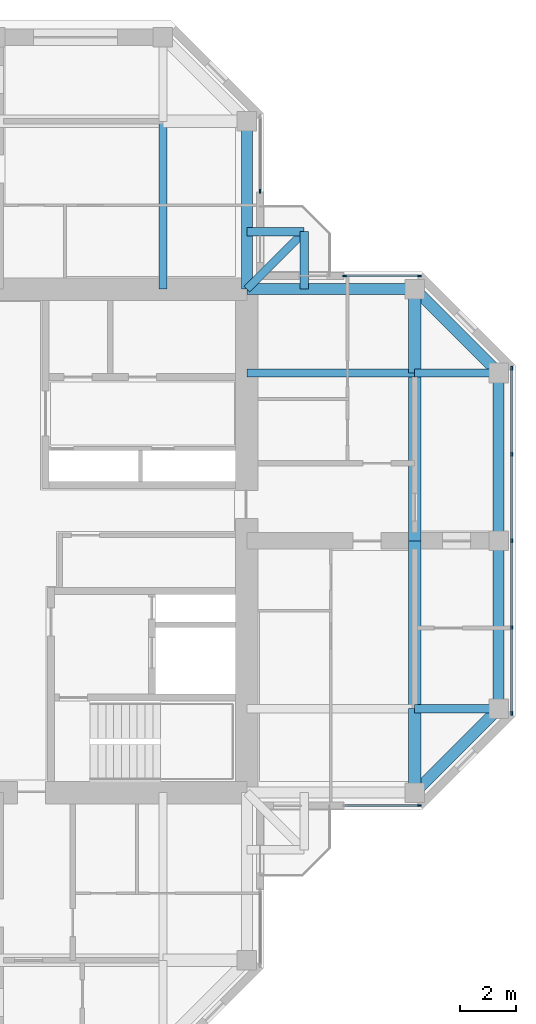
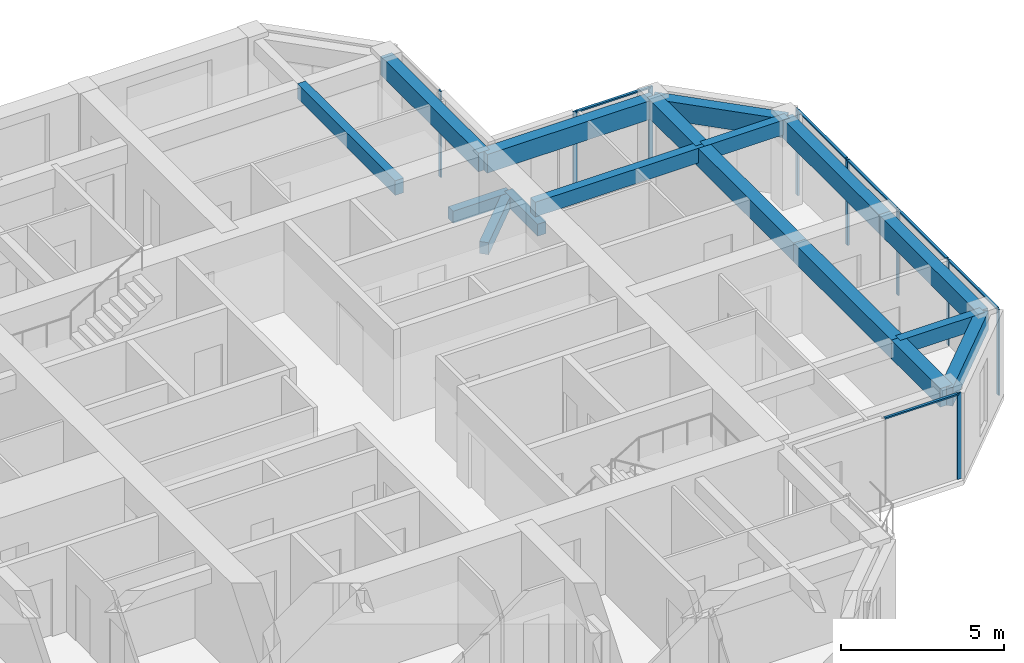
# One storey, part 5 of 13: 17 beams, 15 members, 4 elements without a shape of their own.
"""IFC4 building model written with IfcOpenShell, lengths in metres."""

from ifc_helpers import new_model, si_unit, direction, frame, origin, origin_2d, place, context, subcontext, project, spatial, rectangle, extrude, material, material_profile, profile_set, type_object, element, aggregate, save


model = new_model("IFC4")

# Units and contexts
model_context = context("Model", 3, precision=1e-05, world=origin(), true_north=direction((0.0, 1.0)))
body_context = subcontext(model_context, "Body", "Model", "MODEL_VIEW")
ifc_project = project(units=[si_unit("LENGTHUNIT", "METRE"), si_unit("AREAUNIT", "SQUARE_METRE"), si_unit("VOLUMEUNIT", "CUBIC_METRE"), si_unit("PLANEANGLEUNIT", "RADIAN"), si_unit("MASSUNIT", "GRAM", prefix="KILO")], contexts=[model_context])

# Site, building, storey
site_placement = place(None, origin())
site = spatial("IfcSite", under=ifc_project, at=site_placement, CompositionType="ELEMENT")
building_placement = place(site_placement, origin())
building = spatial("IfcBuilding", under=site, at=building_placement, Name="Torre Cruceta", CompositionType="ELEMENT")
storey_placement = place(building_placement, frame((0.0, 0.0, 261.10009765625)))
storey = spatial("IfcBuildingStorey", under=building, at=storey_placement, Name="L67", CompositionType="ELEMENT", Elevation=261.10009765625)

# Beams
ifc_material_1 = material(Name="Concrete G60 (fck 60 MPa)", Category="concrete")
ifc_material_profile_1 = material_profile(ifc_material_1, rectangle(XDim=0.300048828125, YDim=0.449951171875, at=origin_2d()), Name="RC 300X450")
ifc_profile_set_1 = profile_set([ifc_material_profile_1], Name="Concrete G60 (fck 60 MPa)")
beam_type_1 = type_object("IfcBeamType", Name="BALCONY CANTILEVER BEAM RC 300X450", PredefinedType="BEAM", material=ifc_profile_set_1)
beam_1_placement = place(storey_placement, frame((9.0, 9.0, -0.405029296875), z_axis=(0.707106781187, 0.707106781187, 0.0), x_axis=(-0.707106781187, 0.707106781187, 0.0)))
element("IfcBeam", 1, at=beam_1_placement, inside=storey, type_object=beam_type_1, Name="BB1 balcony beam L67 E", PredefinedType="BEAM", context=body_context, shape_type="SweptSolid", body=[
    extrude(rectangle(XDim=0.300048828125, YDim=0.449951171875, at=origin_2d()), origin(), (0.0, 0.0, 1.0), 2.89990234375),
])
for number, where, z_axis, x_axis, name in (
    (2, (11.050537109375, 9.0, -0.405029296875), (0.0, 1.0, 0.0), (-1.0, 0.0, 0.0), "BB1 balcony edge beam L67 E-X"),
    (3, (9.0, 11.050537109375, -0.405029296875), (1.0, 0.0, 0.0), (0.0, 1.0, 0.0), "BB1 balcony edge beam L67 E-Y"),
):
    element("IfcBeam", number, at=place(storey_placement, frame(where, z_axis=z_axis, x_axis=x_axis)), inside=storey, type_object=beam_type_1, Name=name, PredefinedType="BEAM", context=body_context, shape_type="SweptSolid", body=[
        extrude(rectangle(XDim=0.300048828125, YDim=0.449951171875, at=origin_2d()), origin(), (0.0, 0.0, 1.0), 2.050537109375),
    ])
ifc_material_2 = material(Name="Concrete G60 (fck 60 MPa)", Category="concrete")
ifc_material_profile_2 = material_profile(ifc_material_2, rectangle(XDim=0.300048828125, YDim=0.550048828125, at=origin_2d()), Name="RC 300X550")
ifc_profile_set_2 = profile_set([ifc_material_profile_2], Name="Concrete G60 (fck 60 MPa)")
beam_type_2 = type_object("IfcBeamType", Name="COLUMN LINE BEAM RC 300X550", PredefinedType="BEAM", material=ifc_profile_set_2)
beam_2_placement = place(storey_placement, frame((6.0, 9.0, 2.94482421875), z_axis=(0.0, 1.0, 0.0), x_axis=(-1.0, 0.0, 0.0)))
element("IfcBeam", 4, at=beam_2_placement, inside=storey, type_object=beam_type_2, Name="LB10 L67 N col- 1", PredefinedType="BEAM", context=body_context, shape_type="SweptSolid", body=[
    extrude(rectangle(XDim=0.300048828125, YDim=0.550048828125, at=origin_2d()), origin(), (0.0, 0.0, 1.0), 6.0),
])
beam_3_placement = place(storey_placement, frame((15.0, -6.0, 2.94482421875), z_axis=(1.0, 0.0, 0.0), x_axis=(0.0, 1.0, 0.0)))
element("IfcBeam", 5, at=beam_3_placement, inside=storey, type_object=beam_type_2, Name="LB10 L67 E col- 2", PredefinedType="BEAM", context=body_context, shape_type="SweptSolid", body=[
    extrude(rectangle(XDim=0.300048828125, YDim=0.550048828125, at=origin_2d()), origin(), (0.0, 0.0, 1.0), 3.0),
])
beam_4_placement = place(storey_placement, frame((9.0, 6.0, 2.94482421875), z_axis=(1.0, 0.0, 0.0), x_axis=(0.0, 1.0, 0.0)))
element("IfcBeam", 6, at=beam_4_placement, inside=storey, type_object=beam_type_2, Name="LB10 L67 E col+ 1", PredefinedType="BEAM", context=body_context, shape_type="SweptSolid", body=[
    extrude(rectangle(XDim=0.300048828125, YDim=0.550048828125, at=origin_2d()), origin(), (0.0, 0.0, 1.0), 6.0),
])
beam_5_placement = place(storey_placement, frame((15.0, 6.0, 2.94482421875), z_axis=(1.0, 0.0, 0.0), x_axis=(0.0, 1.0, 0.0)))
element("IfcBeam", 7, at=beam_5_placement, inside=storey, type_object=beam_type_2, Name="LB10 L67 E col+ 2", PredefinedType="BEAM", context=body_context, shape_type="SweptSolid", body=[
    extrude(rectangle(XDim=0.300048828125, YDim=0.550048828125, at=origin_2d()), origin(), (0.0, 0.0, 1.0), 3.0),
])
ifc_material_3 = material(Name="Concrete G60 (fck 60 MPa)", Category="concrete")
ifc_material_profile_3 = material_profile(ifc_material_3, rectangle(XDim=0.449951171875, YDim=0.699951171875, at=origin_2d()), Name="RC 450X700")
ifc_profile_set_3 = profile_set([ifc_material_profile_3], Name="Concrete G60 (fck 60 MPa)")
beam_type_3 = type_object("IfcBeamType", Name="CROSS BEAM RC 450X700", PredefinedType="BEAM", material=ifc_profile_set_3)
beam_6_placement = place(storey_placement, frame((15.0, -9.0, 2.869873046875), z_axis=(0.0, 1.0, 0.0), x_axis=(-1.0, 0.0, 0.0)))
element("IfcBeam", 8, at=beam_6_placement, inside=storey, type_object=beam_type_3, Name="GB8 L67 E cross15 1", PredefinedType="BEAM", context=body_context, shape_type="SweptSolid", body=[
    extrude(rectangle(XDim=0.449951171875, YDim=0.699951171875, at=origin_2d()), origin(), (0.0, 0.0, 1.0), 3.0),
])
for number, where, z_axis, x_axis, name in (
    (9, (15.0, -6.0, 2.869873046875), (0.0, 1.0, 0.0), (-1.0, 0.0, 0.0), "GB8 L67 E cross15 2"),
    (10, (15.0, 0.0, 2.869873046875), (0.0, 1.0, 0.0), (-1.0, 0.0, 0.0), "GB8 L67 E cross15 3"),
):
    element("IfcBeam", number, at=place(storey_placement, frame(where, z_axis=z_axis, x_axis=x_axis)), inside=storey, type_object=beam_type_3, Name=name, PredefinedType="BEAM", context=body_context, shape_type="SweptSolid", body=[
        extrude(rectangle(XDim=0.449951171875, YDim=0.699951171875, at=origin_2d()), origin(), (0.0, 0.0, 1.0), 6.0),
    ])
beam_7_placement = place(storey_placement, frame((15.0, 6.0, 2.869873046875), z_axis=(0.0, 1.0, 0.0), x_axis=(-1.0, 0.0, 0.0)))
element("IfcBeam", 11, at=beam_7_placement, inside=storey, type_object=beam_type_3, Name="GB8 L67 E cross15 4", PredefinedType="BEAM", context=body_context, shape_type="SweptSolid", body=[
    extrude(rectangle(XDim=0.449951171875, YDim=0.699951171875, at=origin_2d()), origin(), (0.0, 0.0, 1.0), 3.0),
])

# Curtain wall, member
ifc_material_4 = material(Name="Aluminium unitised curtain wall", Category="aluminium")
curtain_wall_type = type_object("IfcCurtainWallType", Name="CURTAIN WALL CW-E CO-LIVING TOP", PredefinedType="USERDEFINED", material=ifc_material_4)
curtain_wall_1_placement = place(storey_placement, origin())
curtain_wall_1 = element("IfcCurtainWall", 12, at=curtain_wall_1_placement, inside=storey, type_object=curtain_wall_type, Name="CW-E L67 E side 00", ObjectType="UNITISED", PredefinedType="USERDEFINED")
ifc_material_5 = material(Name="Aluminium mullion", Category="aluminium")
ifc_material_profile_4 = material_profile(ifc_material_5, rectangle(XDim=0.054931640625, YDim=0.139892578125, at=origin_2d()), Name="AL 55X140")
ifc_profile_set_4 = profile_set([ifc_material_profile_4], Name="Aluminium mullion")
member_type_1 = type_object("IfcMemberType", Name="CW-E MULLION 55X140", PredefinedType="MULLION", material=ifc_profile_set_4)
member_1_placement = place(storey_placement, frame((15.167236328125, -9.469970703125, 0.0), z_axis=(0.0, 0.0, 1.0), x_axis=(0.0, 1.0, 0.0)))
member_1 = element("IfcMember", 13, at=member_1_placement, type_object=member_type_1, Name="CW-E mullion 2", PredefinedType="MULLION", context=body_context, shape_type="SweptSolid", body=[
    extrude(rectangle(XDim=0.054931640625, YDim=0.139892578125, at=origin_2d()), origin(), (0.0, 0.0, 1.0), 3.219970703125),
])

# Curtain wall, members
curtain_wall_2_placement = place(storey_placement, origin())
curtain_wall_2 = element("IfcCurtainWall", 14, at=curtain_wall_2_placement, inside=storey, type_object=curtain_wall_type, Name="CW-E L67 E tip 02", ObjectType="UNITISED", PredefinedType="USERDEFINED")
member_2_placement = place(storey_placement, frame((18.469970703125, -6.167236328125, 0.0), z_axis=(0.0, 0.0, 1.0), x_axis=(-1.0, 0.0, 0.0)))
member_2 = element("IfcMember", 15, at=member_2_placement, type_object=member_type_1, Name="CW-E mullion 1", PredefinedType="MULLION", context=body_context, shape_type="SweptSolid", body=[
    extrude(rectangle(XDim=0.054931640625, YDim=0.139892578125, at=origin_2d()), origin(), (0.0, 0.0, 1.0), 3.219970703125),
])
member_3_placement = place(storey_placement, frame((18.469970703125, -3.097412109375, 0.0), z_axis=(0.0, 0.0, 1.0), x_axis=(-1.0, 0.0, 0.0)))
member_3 = element("IfcMember", 16, at=member_3_placement, type_object=member_type_1, Name="CW-E mullion 2", PredefinedType="MULLION", context=body_context, shape_type="SweptSolid", body=[
    extrude(rectangle(XDim=0.054931640625, YDim=0.139892578125, at=origin_2d()), origin(), (0.0, 0.0, 1.0), 3.219970703125),
])
member_4_placement = place(storey_placement, frame((18.469970703125, 0.0, 0.0), z_axis=(0.0, 0.0, 1.0), x_axis=(-1.0, 0.0, 0.0)))
member_4 = element("IfcMember", 17, at=member_4_placement, type_object=member_type_1, Name="CW-E mullion 3", PredefinedType="MULLION", context=body_context, shape_type="SweptSolid", body=[
    extrude(rectangle(XDim=0.054931640625, YDim=0.139892578125, at=origin_2d()), origin(), (0.0, 0.0, 1.0), 3.219970703125),
])
member_5_placement = place(storey_placement, frame((18.469970703125, 3.097412109375, 0.0), z_axis=(0.0, 0.0, 1.0), x_axis=(-1.0, 0.0, 0.0)))
member_5 = element("IfcMember", 18, at=member_5_placement, type_object=member_type_1, Name="CW-E mullion 4", PredefinedType="MULLION", context=body_context, shape_type="SweptSolid", body=[
    extrude(rectangle(XDim=0.054931640625, YDim=0.139892578125, at=origin_2d()), origin(), (0.0, 0.0, 1.0), 3.219970703125),
])
member_6_placement = place(storey_placement, frame((18.469970703125, 6.167236328125, 0.0), z_axis=(0.0, 0.0, 1.0), x_axis=(-1.0, 0.0, 0.0)))
member_6 = element("IfcMember", 19, at=member_6_placement, type_object=member_type_1, Name="CW-E mullion 5", PredefinedType="MULLION", context=body_context, shape_type="SweptSolid", body=[
    extrude(rectangle(XDim=0.054931640625, YDim=0.139892578125, at=origin_2d()), origin(), (0.0, 0.0, 1.0), 3.219970703125),
])

curtain_wall_3_placement = place(storey_placement, origin())
curtain_wall_3 = element("IfcCurtainWall", 20, at=curtain_wall_3_placement, inside=storey, type_object=curtain_wall_type, Name="CW-E L67 E side 04", ObjectType="UNITISED", PredefinedType="USERDEFINED")
member_7_placement = place(storey_placement, frame((15.167236328125, 9.469970703125, 0.0), z_axis=(0.0, 0.0, 1.0), x_axis=(0.0, -1.0, 0.0)))
member_7 = element("IfcMember", 21, at=member_7_placement, type_object=member_type_1, Name="CW-E mullion 1", PredefinedType="MULLION", context=body_context, shape_type="SweptSolid", body=[
    extrude(rectangle(XDim=0.054931640625, YDim=0.139892578125, at=origin_2d()), origin(), (0.0, 0.0, 1.0), 3.219970703125),
])
member_8_placement = place(storey_placement, frame((12.49755859375, 9.469970703125, 0.0), z_axis=(0.0, 0.0, 1.0), x_axis=(0.0, -1.0, 0.0)))
member_8 = element("IfcMember", 22, at=member_8_placement, type_object=member_type_1, Name="CW-E mullion 2", PredefinedType="MULLION", context=body_context, shape_type="SweptSolid", body=[
    extrude(rectangle(XDim=0.054931640625, YDim=0.139892578125, at=origin_2d()), origin(), (0.0, 0.0, 1.0), 3.219970703125),
])

# Curtain wall, member
curtain_wall_4_placement = place(storey_placement, origin())
curtain_wall_4 = element("IfcCurtainWall", 23, at=curtain_wall_4_placement, inside=storey, type_object=curtain_wall_type, Name="CW-E L67 N side 05", ObjectType="UNITISED", PredefinedType="USERDEFINED")
member_9_placement = place(storey_placement, frame((9.469970703125, 12.49755859375, 0.0), z_axis=(0.0, 0.0, 1.0), x_axis=(-1.0, 0.0, 0.0)))
member_9 = element("IfcMember", 24, at=member_9_placement, type_object=member_type_1, Name="CW-E mullion 1", PredefinedType="MULLION", context=body_context, shape_type="SweptSolid", body=[
    extrude(rectangle(XDim=0.054931640625, YDim=0.139892578125, at=origin_2d()), origin(), (0.0, 0.0, 1.0), 3.219970703125),
])
aggregate(curtain_wall_4, [member_9])

# Member
ifc_material_6 = material(Name="Aluminium transom", Category="aluminium")
ifc_material_profile_5 = material_profile(ifc_material_6, rectangle(XDim=0.090087890625, YDim=0.054931640625, at=origin_2d()), Name="AL 90X55")
ifc_profile_set_5 = profile_set([ifc_material_profile_5], Name="Aluminium transom")
member_type_2 = type_object("IfcMemberType", Name="CW-E TRANSOM 55X90", PredefinedType="USERDEFINED", material=ifc_profile_set_5)
member_10_placement = place(storey_placement, frame((12.52490234375, -9.469970703125, 3.1923828125), z_axis=(1.0, 0.0, 0.0), x_axis=(0.0, 1.0, 0.0)))
member_10 = element("IfcMember", 25, at=member_10_placement, type_object=member_type_2, Name="CW-E transom 1", ObjectType="TRANSOM", PredefinedType="USERDEFINED", context=body_context, shape_type="SweptSolid", body=[
    extrude(rectangle(XDim=0.090087890625, YDim=0.054931640625, at=origin_2d()), origin(), (0.0, 0.0, 1.0), 2.61474609375),
])

aggregate(curtain_wall_1, [member_1, member_10])

member_11_placement = place(storey_placement, frame((18.469970703125, -6.1396484375, 3.1923828125), z_axis=(0.0, 1.0, 0.0), x_axis=(-1.0, 0.0, 0.0)))
member_11 = element("IfcMember", 26, at=member_11_placement, type_object=member_type_2, Name="CW-E transom 1", ObjectType="TRANSOM", PredefinedType="USERDEFINED", context=body_context, shape_type="SweptSolid", body=[
    extrude(rectangle(XDim=0.090087890625, YDim=0.054931640625, at=origin_2d()), origin(), (0.0, 0.0, 1.0), 3.014892578125),
])

member_12_placement = place(storey_placement, frame((18.469970703125, -3.06982421875, 3.1923828125), z_axis=(0.0, 1.0, 0.0), x_axis=(-1.0, 0.0, 0.0)))
member_12 = element("IfcMember", 27, at=member_12_placement, type_object=member_type_2, Name="CW-E transom 2", ObjectType="TRANSOM", PredefinedType="USERDEFINED", context=body_context, shape_type="SweptSolid", body=[
    extrude(rectangle(XDim=0.090087890625, YDim=0.054931640625, at=origin_2d()), origin(), (0.0, 0.0, 1.0), 3.042236328125),
])

member_13_placement = place(storey_placement, frame((18.469970703125, 0.027587890625, 3.1923828125), z_axis=(0.0, 1.0, 0.0), x_axis=(-1.0, 0.0, 0.0)))
member_13 = element("IfcMember", 28, at=member_13_placement, type_object=member_type_2, Name="CW-E transom 3", ObjectType="TRANSOM", PredefinedType="USERDEFINED", context=body_context, shape_type="SweptSolid", body=[
    extrude(rectangle(XDim=0.090087890625, YDim=0.054931640625, at=origin_2d()), origin(), (0.0, 0.0, 1.0), 3.042236328125),
])

member_14_placement = place(storey_placement, frame((18.469970703125, 3.124755859375, 3.1923828125), z_axis=(0.0, 1.0, 0.0), x_axis=(-1.0, 0.0, 0.0)))
member_14 = element("IfcMember", 29, at=member_14_placement, type_object=member_type_2, Name="CW-E transom 4", ObjectType="TRANSOM", PredefinedType="USERDEFINED", context=body_context, shape_type="SweptSolid", body=[
    extrude(rectangle(XDim=0.090087890625, YDim=0.054931640625, at=origin_2d()), origin(), (0.0, 0.0, 1.0), 3.014892578125),
])

aggregate(curtain_wall_2, [member_2, member_3, member_4, member_5, member_6, member_11, member_12, member_13, member_14])

member_15_placement = place(storey_placement, frame((15.1396484375, 9.469970703125, 3.1923828125), z_axis=(-1.0, 0.0, 0.0), x_axis=(0.0, -1.0, 0.0)))
member_15 = element("IfcMember", 30, at=member_15_placement, type_object=member_type_2, Name="CW-E transom 1", ObjectType="TRANSOM", PredefinedType="USERDEFINED", context=body_context, shape_type="SweptSolid", body=[
    extrude(rectangle(XDim=0.090087890625, YDim=0.054931640625, at=origin_2d()), origin(), (0.0, 0.0, 1.0), 2.61474609375),
])

aggregate(curtain_wall_3, [member_7, member_8, member_15])

# Beams
ifc_material_7 = material(Name="Concrete G60 (fck 60 MPa)", Category="concrete")
ifc_material_profile_6 = material_profile(ifc_material_7, rectangle(XDim=0.39990234375, YDim=0.699951171875, at=origin_2d()), Name="RC 400X700")
ifc_profile_set_6 = profile_set([ifc_material_profile_6], Name="Concrete G60 (fck 60 MPa)")
beam_type_4 = type_object("IfcBeamType", Name="SPANDREL BEAM RC 400X700", PredefinedType="SPANDREL", material=ifc_profile_set_6)
beam_8_placement = place(storey_placement, frame((9.0, 9.0, 2.869873046875), z_axis=(0.0, 1.0, 0.0), x_axis=(-1.0, 0.0, 0.0)))
element("IfcBeam", 31, at=beam_8_placement, inside=storey, type_object=beam_type_4, Name="SB8 L67 N side- 1", PredefinedType="SPANDREL", context=body_context, shape_type="SweptSolid", body=[
    extrude(rectangle(XDim=0.39990234375, YDim=0.699951171875, at=origin_2d()), origin(), (0.0, 0.0, 1.0), 6.0),
])
beam_9_placement = place(storey_placement, frame((15.0, -9.0, 2.869873046875), z_axis=(0.707106781187, 0.707106781187, 0.0), x_axis=(-0.707106781187, 0.707106781187, 0.0)))
element("IfcBeam", 32, at=beam_9_placement, inside=storey, type_object=beam_type_4, Name="SB8 L67 E side- 2", PredefinedType="SPANDREL", context=body_context, shape_type="SweptSolid", body=[
    extrude(rectangle(XDim=0.39990234375, YDim=0.699951171875, at=origin_2d()), origin(), (0.0, 0.0, 1.0), 4.24267578125),
])
beam_10_placement = place(storey_placement, frame((9.0, 9.0, 2.869873046875), z_axis=(1.0, 0.0, 0.0), x_axis=(0.0, 1.0, 0.0)))
element("IfcBeam", 33, at=beam_10_placement, inside=storey, type_object=beam_type_4, Name="SB8 L67 E side+ 1", PredefinedType="SPANDREL", context=body_context, shape_type="SweptSolid", body=[
    extrude(rectangle(XDim=0.39990234375, YDim=0.699951171875, at=origin_2d()), origin(), (0.0, 0.0, 1.0), 6.0),
])
beam_11_placement = place(storey_placement, frame((15.0, 9.0, 2.869873046875), z_axis=(0.707106781187, -0.707106781187, 0.0), x_axis=(0.707106781187, 0.707106781187, 0.0)))
element("IfcBeam", 34, at=beam_11_placement, inside=storey, type_object=beam_type_4, Name="SB8 L67 E side+ 2", PredefinedType="SPANDREL", context=body_context, shape_type="SweptSolid", body=[
    extrude(rectangle(XDim=0.39990234375, YDim=0.699951171875, at=origin_2d()), origin(), (0.0, 0.0, 1.0), 4.24267578125),
])
for number, where, z_axis, x_axis, name in (
    (35, (18.0, -6.0, 2.869873046875), (0.0, 1.0, 0.0), (-1.0, 0.0, 0.0), "SB8 L67 E tip 1"),
    (36, (18.0, 0.0, 2.869873046875), (0.0, 1.0, 0.0), (-1.0, 0.0, 0.0), "SB8 L67 E tip 2"),
):
    element("IfcBeam", number, at=place(storey_placement, frame(where, z_axis=z_axis, x_axis=x_axis)), inside=storey, type_object=beam_type_4, Name=name, PredefinedType="SPANDREL", context=body_context, shape_type="SweptSolid", body=[
        extrude(rectangle(XDim=0.39990234375, YDim=0.699951171875, at=origin_2d()), origin(), (0.0, 0.0, 1.0), 6.0),
    ])

save(model, "model.ifc")
